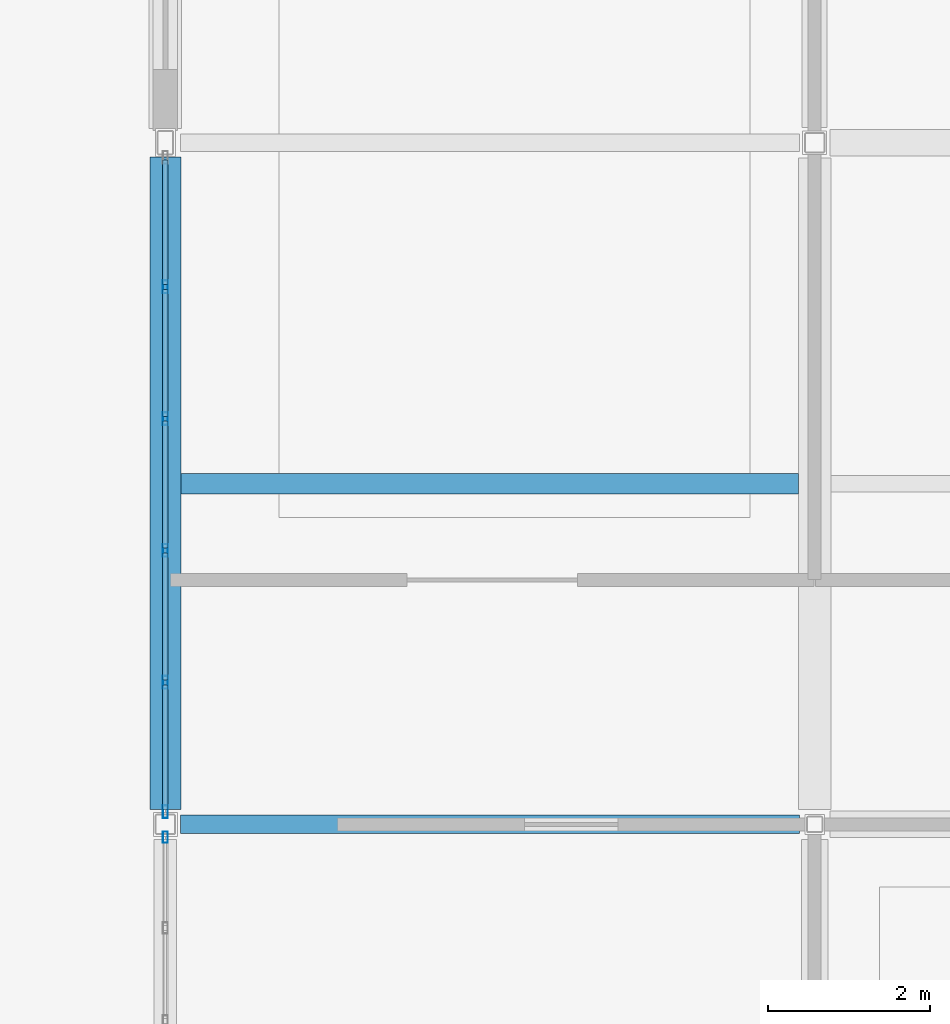
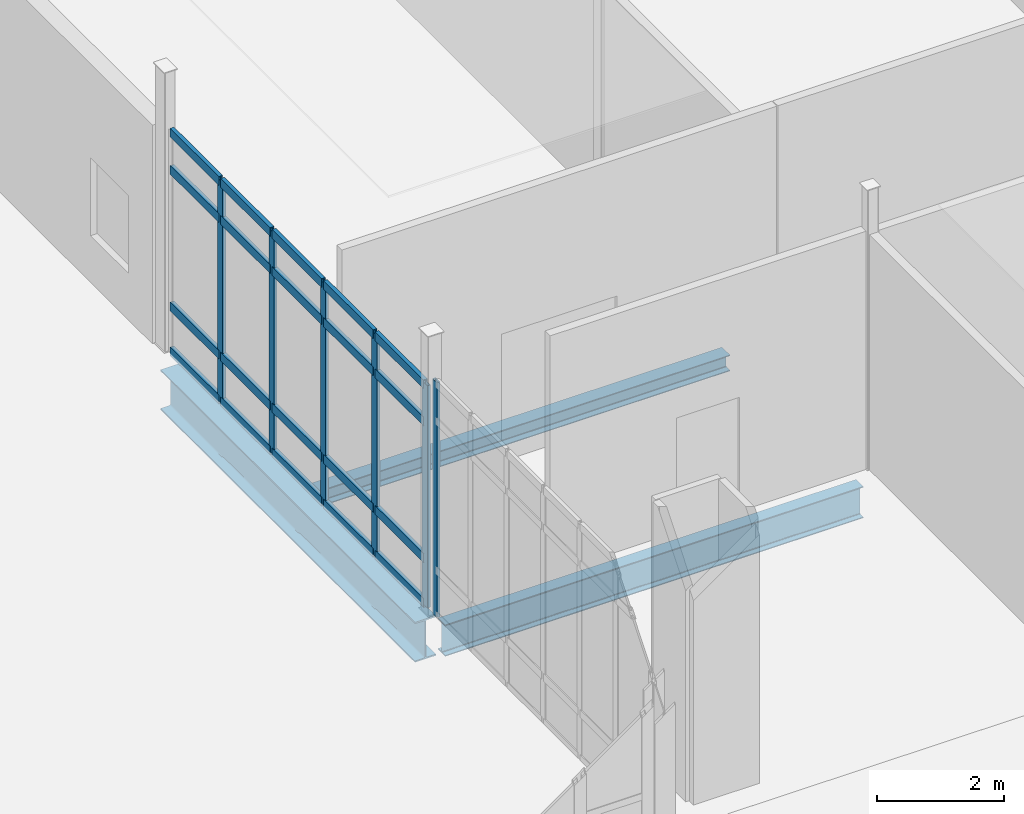
# One storey, part 52 of 229: 26 members, 3 beams, 2 elements without a shape of their own.
"""IFC4 building model written with IfcOpenShell, lengths in metres."""

from ifc_helpers import new_model, si_unit, direction, frame, origin, origin_2d, place, context, subcontext, project, spatial, hollow_rectangle, i_section, extrude, material, layer, layer_set, material_profile, profile_set, type_object, element, aggregate, save


model = new_model("IFC4")

# Units and contexts
model_context = context("Model", 3, precision=1e-05, world=origin(), true_north=direction((0.0, 1.0)))
body_context = subcontext(model_context, "Body", "Model", "MODEL_VIEW")
ifc_project = project(units=[si_unit("LENGTHUNIT", "METRE"), si_unit("AREAUNIT", "SQUARE_METRE"), si_unit("VOLUMEUNIT", "CUBIC_METRE"), si_unit("PLANEANGLEUNIT", "RADIAN"), si_unit("MASSUNIT", "GRAM", prefix="KILO")], contexts=[model_context])

# Site, building, storey
site_placement = place(None, origin())
site = spatial("IfcSite", under=ifc_project, at=site_placement, CompositionType="ELEMENT")
building_placement = place(site_placement, origin())
building = spatial("IfcBuilding", under=site, at=building_placement, Name="Calvrana Isthmian Art Gallery", CompositionType="ELEMENT")
storey_placement = place(building_placement, origin())
storey = spatial("IfcBuildingStorey", under=building, at=storey_placement, Name="L00", CompositionType="ELEMENT", Elevation=0.0)

# Beams
ifc_material_1 = material(Name="Steel ASTM A992 Gr 50", Category="steel")
ifc_material_profile_1 = material_profile(ifc_material_1, i_section(OverallWidth=0.22802734375, OverallDepth=0.60693359375, WebThickness=0.01123046875, FlangeThickness=0.017333984375, FilletRadius=0.02197265625, at=origin_2d()), Name="W24X76")
ifc_profile_set_1 = profile_set([ifc_material_profile_1], Name="Steel ASTM A992 Gr 50")
beam_type_1 = type_object("IfcBeamType", Name="BM-G-W24X76", PredefinedType="BEAM", material=ifc_profile_set_1)
beam_1_placement = place(storey_placement, frame((96.58642578125, 21.60009765625, -0.58837890625), z_axis=(1.0, 0.0, 0.0), x_axis=(0.0, 1.0, 0.0)))
element("IfcBeam", 1, at=beam_1_placement, inside=storey, type_object=beam_type_1, Name="Girder X L00 13-14/D", PredefinedType="BEAM", context=body_context, shape_type="SweptSolid", body=[
    extrude(i_section(OverallWidth=0.22802734375, OverallDepth=0.60693359375, WebThickness=0.01123046875, FlangeThickness=0.017333984375, FilletRadius=0.02197265625, at=origin_2d()), origin(), (0.0, 0.0, 1.0), 7.626953125),
])
ifc_material_profile_2 = material_profile(ifc_material_1, i_section(OverallWidth=0.381103515625, OverallDepth=0.77197265625, WebThickness=0.0166015625, FlangeThickness=0.027099609375, FilletRadius=0.02490234375, at=origin_2d()), Name="W30X173")
ifc_profile_set_2 = profile_set([ifc_material_profile_2], Name="Steel ASTM A992 Gr 50")
beam_type_2 = type_object("IfcBeamType", Name="BM-G-W30X173", PredefinedType="BEAM", material=ifc_profile_set_2)
beam_2_placement = place(storey_placement, frame((96.39990234375, 21.78662109375, -0.6708984375), z_axis=(0.0, 1.0, 0.0), x_axis=(-1.0, 0.0, 0.0)))
element("IfcBeam", 2, at=beam_2_placement, inside=storey, type_object=beam_type_2, Name="Girder Y L00 13/D-E", PredefinedType="BEAM", context=body_context, shape_type="SweptSolid", body=[
    extrude(i_section(OverallWidth=0.381103515625, OverallDepth=0.77197265625, WebThickness=0.0166015625, FlangeThickness=0.027099609375, FilletRadius=0.02490234375, at=origin_2d()), origin(), (0.0, 0.0, 1.0), 8.035400390625),
])
ifc_material_profile_3 = material_profile(ifc_material_1, i_section(OverallWidth=0.25390625, OverallDepth=0.306884765625, WebThickness=0.0087890625, FlangeThickness=0.0146484375, FilletRadius=0.01611328125, at=origin_2d()), Name="W12X53")
ifc_profile_set_3 = profile_set([ifc_material_profile_3], Name="Steel ASTM A992 Gr 50")
beam_type_3 = type_object("IfcBeamType", Name="BM-J-W12X53", PredefinedType="JOIST", material=ifc_profile_set_3)
beam_3_placement = place(storey_placement, frame((96.590576171875, 25.800048828125, -0.4384765625), z_axis=(1.0, 0.0, 0.0), x_axis=(0.0, 1.0, 0.0)))
element("IfcBeam", 3, at=beam_3_placement, inside=storey, type_object=beam_type_3, Name="Composite joist L00 bay 12-03", PredefinedType="JOIST", context=body_context, shape_type="SweptSolid", body=[
    extrude(i_section(OverallWidth=0.25390625, OverallDepth=0.306884765625, WebThickness=0.0087890625, FlangeThickness=0.0146484375, FilletRadius=0.01611328125, at=origin_2d()), origin(), (0.0, 0.0, 1.0), 7.60888671875),
])

# Curtain wall, member
ifc_material_2 = material(Name="Anodized bronze aluminium 6063-T6", Category="aluminium")
ifc_layer_1 = layer(ifc_material_2, 0.179931640625, Name="Anodized bronze aluminium 6063-T6")
ifc_layer_set_1 = layer_set([ifc_layer_1], Name="Anodized bronze aluminium 6063-T6")
curtain_wall_type_1 = type_object("IfcCurtainWallType", Name="CW-UNIT-069X45", PredefinedType="USERDEFINED", material=ifc_layer_set_1)
curtain_wall_1_placement = place(storey_placement, origin())
curtain_wall_1 = element("IfcCurtainWall", 4, at=curtain_wall_1_placement, inside=storey, type_object=curtain_wall_type_1, Name="Curtain wall CW-072", ObjectType="UNITISED CURTAIN WALL", PredefinedType="USERDEFINED")
ifc_material_profile_4 = material_profile(ifc_material_2, hollow_rectangle(XDim=0.06005859375, YDim=0.139892578125, WallThickness=0.00390625, at=origin_2d()), Name="CWM60X140")
ifc_profile_set_4 = profile_set([ifc_material_profile_4], Name="Anodized bronze aluminium 6063-T6")
member_type_1 = type_object("IfcMemberType", Name="CWM-CWM60X140", PredefinedType="MULLION", material=ifc_profile_set_4)
member_1_placement = place(storey_placement, frame((96.39990234375, 21.443115234375, 0.0), z_axis=(0.0, 0.0, 1.0), x_axis=(-1.0, 0.0, 0.0)))
member_1 = element("IfcMember", 5, at=member_1_placement, type_object=member_type_1, Name="CW-072 mullion 7", PredefinedType="MULLION", context=body_context, shape_type="SweptSolid", body=[
    extrude(hollow_rectangle(XDim=0.06005859375, YDim=0.139892578125, WallThickness=0.00390625, at=origin_2d()), origin(), (0.0, 0.0, 1.0), 4.528076171875),
])
aggregate(curtain_wall_1, [member_1])

# Curtain wall, members
ifc_layer_2 = layer(ifc_material_2, 0.179931640625, Name="Anodized bronze aluminium 6063-T6")
ifc_layer_set_2 = layer_set([ifc_layer_2], Name="Anodized bronze aluminium 6063-T6")
curtain_wall_type_2 = type_object("IfcCurtainWallType", Name="CW-UNIT-081X43", PredefinedType="USERDEFINED", material=ifc_layer_set_2)
curtain_wall_2_placement = place(storey_placement, origin())
curtain_wall_2 = element("IfcCurtainWall", 6, at=curtain_wall_2_placement, inside=storey, type_object=curtain_wall_type_2, Name="Curtain wall CW-073", ObjectType="UNITISED CURTAIN WALL", PredefinedType="USERDEFINED")
ifc_material_profile_5 = material_profile(ifc_material_2, hollow_rectangle(XDim=0.06005859375, YDim=0.159912109375, WallThickness=0.00390625, at=origin_2d()), Name="CWM60X160")
ifc_profile_set_5 = profile_set([ifc_material_profile_5], Name="Anodized bronze aluminium 6063-T6")
member_type_2 = type_object("IfcMemberType", Name="CWM-CWM60X160", PredefinedType="MULLION", material=ifc_profile_set_5)
member_2_placement = place(storey_placement, frame((96.39990234375, 21.757080078125, 0.0), z_axis=(0.0, 0.0, 1.0), x_axis=(-1.0, 0.0, 0.0)))
member_2 = element("IfcMember", 7, at=member_2_placement, type_object=member_type_2, Name="CW-073 mullion 1", PredefinedType="MULLION", context=body_context, shape_type="SweptSolid", body=[
    extrude(hollow_rectangle(XDim=0.06005859375, YDim=0.159912109375, WallThickness=0.00390625, at=origin_2d()), origin(), (0.0, 0.0, 1.0), 4.283935546875),
])
member_3_placement = place(storey_placement, frame((96.39990234375, 23.35107421875, 0.0), z_axis=(0.0, 0.0, 1.0), x_axis=(-1.0, 0.0, 0.0)))
member_3 = element("IfcMember", 8, at=member_3_placement, type_object=member_type_2, Name="CW-073 mullion 2", PredefinedType="MULLION", context=body_context, shape_type="SweptSolid", body=[
    extrude(hollow_rectangle(XDim=0.06005859375, YDim=0.159912109375, WallThickness=0.00390625, at=origin_2d()), origin(), (0.0, 0.0, 1.0), 4.283935546875),
])
member_4_placement = place(storey_placement, frame((96.39990234375, 24.975341796875, 0.0), z_axis=(0.0, 0.0, 1.0), x_axis=(-1.0, 0.0, 0.0)))
member_4 = element("IfcMember", 9, at=member_4_placement, type_object=member_type_2, Name="CW-073 mullion 3", PredefinedType="MULLION", context=body_context, shape_type="SweptSolid", body=[
    extrude(hollow_rectangle(XDim=0.06005859375, YDim=0.159912109375, WallThickness=0.00390625, at=origin_2d()), origin(), (0.0, 0.0, 1.0), 4.283935546875),
])
member_5_placement = place(storey_placement, frame((96.39990234375, 26.599365234375, 0.0), z_axis=(0.0, 0.0, 1.0), x_axis=(-1.0, 0.0, 0.0)))
member_5 = element("IfcMember", 10, at=member_5_placement, type_object=member_type_2, Name="CW-073 mullion 4", PredefinedType="MULLION", context=body_context, shape_type="SweptSolid", body=[
    extrude(hollow_rectangle(XDim=0.06005859375, YDim=0.159912109375, WallThickness=0.00390625, at=origin_2d()), origin(), (0.0, 0.0, 1.0), 4.283935546875),
])
member_6_placement = place(storey_placement, frame((96.39990234375, 28.223388671875, 0.0), z_axis=(0.0, 0.0, 1.0), x_axis=(-1.0, 0.0, 0.0)))
member_6 = element("IfcMember", 11, at=member_6_placement, type_object=member_type_2, Name="CW-073 mullion 5", PredefinedType="MULLION", context=body_context, shape_type="SweptSolid", body=[
    extrude(hollow_rectangle(XDim=0.06005859375, YDim=0.159912109375, WallThickness=0.00390625, at=origin_2d()), origin(), (0.0, 0.0, 1.0), 4.283935546875),
])
ifc_material_profile_6 = material_profile(ifc_material_2, hollow_rectangle(XDim=0.070068359375, YDim=0.169921875, WallThickness=0.00439453125, at=origin_2d()), Name="CWT70X170")
ifc_profile_set_6 = profile_set([ifc_material_profile_6], Name="Anodized bronze aluminium 6063-T6")
member_type_3 = type_object("IfcMemberType", Name="CWT-CWT70X170", PredefinedType="USERDEFINED", material=ifc_profile_set_6)
member_7_placement = place(storey_placement, frame((96.39990234375, 21.787109375, 0.034912109375), z_axis=(0.0, 1.0, 0.0), x_axis=(-1.0, 0.0, 0.0)))
member_7 = element("IfcMember", 12, at=member_7_placement, type_object=member_type_3, Name="CW-073 transom 1.1", ObjectType="TRANSOM", PredefinedType="USERDEFINED", context=body_context, shape_type="SweptSolid", body=[
    extrude(hollow_rectangle(XDim=0.070068359375, YDim=0.169921875, WallThickness=0.00439453125, at=origin_2d()), origin(), (0.0, 0.0, 1.0), 1.533935546875),
])
member_8_placement = place(storey_placement, frame((96.39990234375, 21.787109375, 0.89990234375), z_axis=(0.0, 1.0, 0.0), x_axis=(-1.0, 0.0, 0.0)))
member_8 = element("IfcMember", 13, at=member_8_placement, type_object=member_type_3, Name="CW-073 transom 1.2", ObjectType="TRANSOM", PredefinedType="USERDEFINED", context=body_context, shape_type="SweptSolid", body=[
    extrude(hollow_rectangle(XDim=0.070068359375, YDim=0.169921875, WallThickness=0.00439453125, at=origin_2d()), origin(), (0.0, 0.0, 1.0), 1.533935546875),
])
member_9_placement = place(storey_placement, frame((96.39990234375, 21.787109375, 3.533935546875), z_axis=(0.0, 1.0, 0.0), x_axis=(-1.0, 0.0, 0.0)))
member_9 = element("IfcMember", 14, at=member_9_placement, type_object=member_type_3, Name="CW-073 transom 1.3", ObjectType="TRANSOM", PredefinedType="USERDEFINED", context=body_context, shape_type="SweptSolid", body=[
    extrude(hollow_rectangle(XDim=0.070068359375, YDim=0.169921875, WallThickness=0.00439453125, at=origin_2d()), origin(), (0.0, 0.0, 1.0), 1.533935546875),
])
member_10_placement = place(storey_placement, frame((96.39990234375, 21.787109375, 4.2490234375), z_axis=(0.0, 1.0, 0.0), x_axis=(-1.0, 0.0, 0.0)))
member_10 = element("IfcMember", 15, at=member_10_placement, type_object=member_type_3, Name="CW-073 transom 1.4", ObjectType="TRANSOM", PredefinedType="USERDEFINED", context=body_context, shape_type="SweptSolid", body=[
    extrude(hollow_rectangle(XDim=0.070068359375, YDim=0.169921875, WallThickness=0.00439453125, at=origin_2d()), origin(), (0.0, 0.0, 1.0), 1.533935546875),
])
member_11_placement = place(storey_placement, frame((96.39990234375, 23.381103515625, 0.034912109375), z_axis=(0.0, 1.0, 0.0), x_axis=(-1.0, 0.0, 0.0)))
member_11 = element("IfcMember", 16, at=member_11_placement, type_object=member_type_3, Name="CW-073 transom 2.1", ObjectType="TRANSOM", PredefinedType="USERDEFINED", context=body_context, shape_type="SweptSolid", body=[
    extrude(hollow_rectangle(XDim=0.070068359375, YDim=0.169921875, WallThickness=0.00439453125, at=origin_2d()), origin(), (0.0, 0.0, 1.0), 1.564208984375),
])
member_12_placement = place(storey_placement, frame((96.39990234375, 23.381103515625, 0.89990234375), z_axis=(0.0, 1.0, 0.0), x_axis=(-1.0, 0.0, 0.0)))
member_12 = element("IfcMember", 17, at=member_12_placement, type_object=member_type_3, Name="CW-073 transom 2.2", ObjectType="TRANSOM", PredefinedType="USERDEFINED", context=body_context, shape_type="SweptSolid", body=[
    extrude(hollow_rectangle(XDim=0.070068359375, YDim=0.169921875, WallThickness=0.00439453125, at=origin_2d()), origin(), (0.0, 0.0, 1.0), 1.564208984375),
])
member_13_placement = place(storey_placement, frame((96.39990234375, 23.381103515625, 3.533935546875), z_axis=(0.0, 1.0, 0.0), x_axis=(-1.0, 0.0, 0.0)))
member_13 = element("IfcMember", 18, at=member_13_placement, type_object=member_type_3, Name="CW-073 transom 2.3", ObjectType="TRANSOM", PredefinedType="USERDEFINED", context=body_context, shape_type="SweptSolid", body=[
    extrude(hollow_rectangle(XDim=0.070068359375, YDim=0.169921875, WallThickness=0.00439453125, at=origin_2d()), origin(), (0.0, 0.0, 1.0), 1.564208984375),
])
member_14_placement = place(storey_placement, frame((96.39990234375, 23.381103515625, 4.2490234375), z_axis=(0.0, 1.0, 0.0), x_axis=(-1.0, 0.0, 0.0)))
member_14 = element("IfcMember", 19, at=member_14_placement, type_object=member_type_3, Name="CW-073 transom 2.4", ObjectType="TRANSOM", PredefinedType="USERDEFINED", context=body_context, shape_type="SweptSolid", body=[
    extrude(hollow_rectangle(XDim=0.070068359375, YDim=0.169921875, WallThickness=0.00439453125, at=origin_2d()), origin(), (0.0, 0.0, 1.0), 1.564208984375),
])
member_15_placement = place(storey_placement, frame((96.39990234375, 25.005126953125, 0.034912109375), z_axis=(0.0, 1.0, 0.0), x_axis=(-1.0, 0.0, 0.0)))
member_15 = element("IfcMember", 20, at=member_15_placement, type_object=member_type_3, Name="CW-073 transom 3.1", ObjectType="TRANSOM", PredefinedType="USERDEFINED", context=body_context, shape_type="SweptSolid", body=[
    extrude(hollow_rectangle(XDim=0.070068359375, YDim=0.169921875, WallThickness=0.00439453125, at=origin_2d()), origin(), (0.0, 0.0, 1.0), 1.564208984375),
])
member_16_placement = place(storey_placement, frame((96.39990234375, 25.005126953125, 0.89990234375), z_axis=(0.0, 1.0, 0.0), x_axis=(-1.0, 0.0, 0.0)))
member_16 = element("IfcMember", 21, at=member_16_placement, type_object=member_type_3, Name="CW-073 transom 3.2", ObjectType="TRANSOM", PredefinedType="USERDEFINED", context=body_context, shape_type="SweptSolid", body=[
    extrude(hollow_rectangle(XDim=0.070068359375, YDim=0.169921875, WallThickness=0.00439453125, at=origin_2d()), origin(), (0.0, 0.0, 1.0), 1.564208984375),
])
member_17_placement = place(storey_placement, frame((96.39990234375, 25.005126953125, 3.533935546875), z_axis=(0.0, 1.0, 0.0), x_axis=(-1.0, 0.0, 0.0)))
member_17 = element("IfcMember", 22, at=member_17_placement, type_object=member_type_3, Name="CW-073 transom 3.3", ObjectType="TRANSOM", PredefinedType="USERDEFINED", context=body_context, shape_type="SweptSolid", body=[
    extrude(hollow_rectangle(XDim=0.070068359375, YDim=0.169921875, WallThickness=0.00439453125, at=origin_2d()), origin(), (0.0, 0.0, 1.0), 1.564208984375),
])
member_18_placement = place(storey_placement, frame((96.39990234375, 25.005126953125, 4.2490234375), z_axis=(0.0, 1.0, 0.0), x_axis=(-1.0, 0.0, 0.0)))
member_18 = element("IfcMember", 23, at=member_18_placement, type_object=member_type_3, Name="CW-073 transom 3.4", ObjectType="TRANSOM", PredefinedType="USERDEFINED", context=body_context, shape_type="SweptSolid", body=[
    extrude(hollow_rectangle(XDim=0.070068359375, YDim=0.169921875, WallThickness=0.00439453125, at=origin_2d()), origin(), (0.0, 0.0, 1.0), 1.564208984375),
])
member_19_placement = place(storey_placement, frame((96.39990234375, 26.62939453125, 0.034912109375), z_axis=(0.0, 1.0, 0.0), x_axis=(-1.0, 0.0, 0.0)))
member_19 = element("IfcMember", 24, at=member_19_placement, type_object=member_type_3, Name="CW-073 transom 4.1", ObjectType="TRANSOM", PredefinedType="USERDEFINED", context=body_context, shape_type="SweptSolid", body=[
    extrude(hollow_rectangle(XDim=0.070068359375, YDim=0.169921875, WallThickness=0.00439453125, at=origin_2d()), origin(), (0.0, 0.0, 1.0), 1.56396484375),
])
member_20_placement = place(storey_placement, frame((96.39990234375, 26.62939453125, 0.89990234375), z_axis=(0.0, 1.0, 0.0), x_axis=(-1.0, 0.0, 0.0)))
member_20 = element("IfcMember", 25, at=member_20_placement, type_object=member_type_3, Name="CW-073 transom 4.2", ObjectType="TRANSOM", PredefinedType="USERDEFINED", context=body_context, shape_type="SweptSolid", body=[
    extrude(hollow_rectangle(XDim=0.070068359375, YDim=0.169921875, WallThickness=0.00439453125, at=origin_2d()), origin(), (0.0, 0.0, 1.0), 1.56396484375),
])
member_21_placement = place(storey_placement, frame((96.39990234375, 26.62939453125, 3.533935546875), z_axis=(0.0, 1.0, 0.0), x_axis=(-1.0, 0.0, 0.0)))
member_21 = element("IfcMember", 26, at=member_21_placement, type_object=member_type_3, Name="CW-073 transom 4.3", ObjectType="TRANSOM", PredefinedType="USERDEFINED", context=body_context, shape_type="SweptSolid", body=[
    extrude(hollow_rectangle(XDim=0.070068359375, YDim=0.169921875, WallThickness=0.00439453125, at=origin_2d()), origin(), (0.0, 0.0, 1.0), 1.56396484375),
])
member_22_placement = place(storey_placement, frame((96.39990234375, 26.62939453125, 4.2490234375), z_axis=(0.0, 1.0, 0.0), x_axis=(-1.0, 0.0, 0.0)))
member_22 = element("IfcMember", 27, at=member_22_placement, type_object=member_type_3, Name="CW-073 transom 4.4", ObjectType="TRANSOM", PredefinedType="USERDEFINED", context=body_context, shape_type="SweptSolid", body=[
    extrude(hollow_rectangle(XDim=0.070068359375, YDim=0.169921875, WallThickness=0.00439453125, at=origin_2d()), origin(), (0.0, 0.0, 1.0), 1.56396484375),
])
member_23_placement = place(storey_placement, frame((96.39990234375, 28.25341796875, 0.034912109375), z_axis=(0.0, 1.0, 0.0), x_axis=(-1.0, 0.0, 0.0)))
member_23 = element("IfcMember", 28, at=member_23_placement, type_object=member_type_3, Name="CW-073 transom 5.1", ObjectType="TRANSOM", PredefinedType="USERDEFINED", context=body_context, shape_type="SweptSolid", body=[
    extrude(hollow_rectangle(XDim=0.070068359375, YDim=0.169921875, WallThickness=0.00439453125, at=origin_2d()), origin(), (0.0, 0.0, 1.0), 1.5341796875),
])
member_24_placement = place(storey_placement, frame((96.39990234375, 28.25341796875, 0.89990234375), z_axis=(0.0, 1.0, 0.0), x_axis=(-1.0, 0.0, 0.0)))
member_24 = element("IfcMember", 29, at=member_24_placement, type_object=member_type_3, Name="CW-073 transom 5.2", ObjectType="TRANSOM", PredefinedType="USERDEFINED", context=body_context, shape_type="SweptSolid", body=[
    extrude(hollow_rectangle(XDim=0.070068359375, YDim=0.169921875, WallThickness=0.00439453125, at=origin_2d()), origin(), (0.0, 0.0, 1.0), 1.5341796875),
])
member_25_placement = place(storey_placement, frame((96.39990234375, 28.25341796875, 3.533935546875), z_axis=(0.0, 1.0, 0.0), x_axis=(-1.0, 0.0, 0.0)))
member_25 = element("IfcMember", 30, at=member_25_placement, type_object=member_type_3, Name="CW-073 transom 5.3", ObjectType="TRANSOM", PredefinedType="USERDEFINED", context=body_context, shape_type="SweptSolid", body=[
    extrude(hollow_rectangle(XDim=0.070068359375, YDim=0.169921875, WallThickness=0.00439453125, at=origin_2d()), origin(), (0.0, 0.0, 1.0), 1.5341796875),
])
member_26_placement = place(storey_placement, frame((96.39990234375, 28.25341796875, 4.2490234375), z_axis=(0.0, 1.0, 0.0), x_axis=(-1.0, 0.0, 0.0)))
member_26 = element("IfcMember", 31, at=member_26_placement, type_object=member_type_3, Name="CW-073 transom 5.4", ObjectType="TRANSOM", PredefinedType="USERDEFINED", context=body_context, shape_type="SweptSolid", body=[
    extrude(hollow_rectangle(XDim=0.070068359375, YDim=0.169921875, WallThickness=0.00439453125, at=origin_2d()), origin(), (0.0, 0.0, 1.0), 1.5341796875),
])
aggregate(curtain_wall_2, [member_2, member_3, member_4, member_5, member_6, member_7, member_8, member_9, member_10, member_11, member_12, member_13, member_14, member_15, member_16, member_17, member_18, member_19, member_20, member_21, member_22, member_23, member_24, member_25, member_26])

save(model, "model.ifc")
